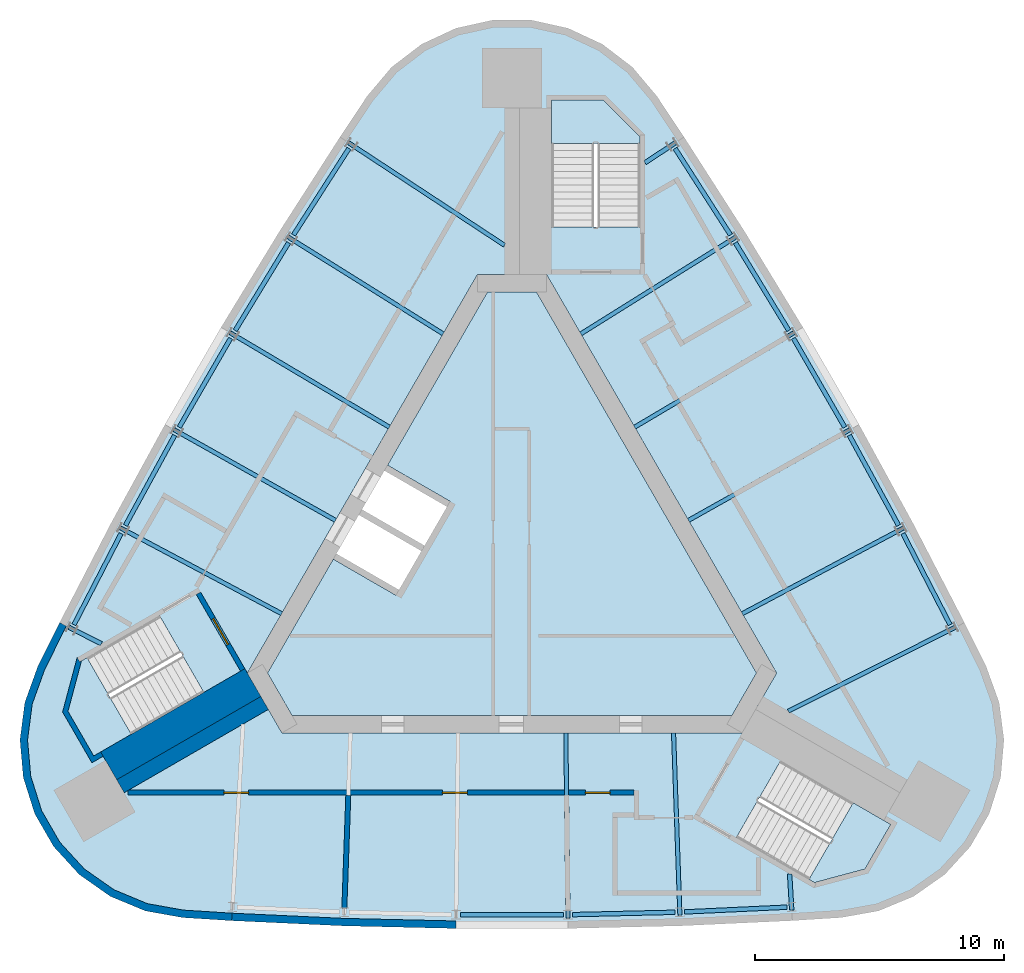
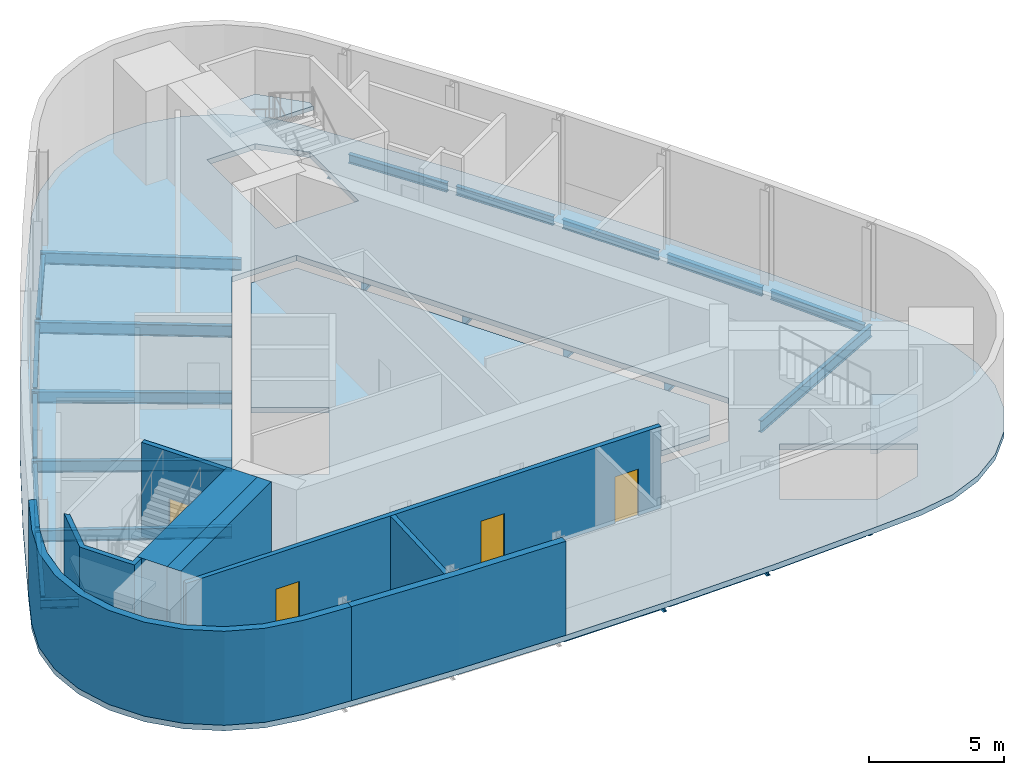
# One storey, part 3 of 7: 28 beams, 8 walls, 5 slabs, 4 doors, 4 openings, 3 elements without a shape of their own.
"""IFC4 building model written with IfcOpenShell, lengths in metres."""

from ifc_helpers import new_model, si_unit, direction, frame, frame_2d, origin, origin_2d, place, context, subcontext, project, spatial, polyline, rectangle, i_section, outline, extrude, material, layer, layer_set, material_profile, profile_set, type_object, element, fill, aggregate, save


model = new_model("IFC4")

# Units and contexts
model_context = context("Model", 3, precision=1e-05, world=origin(), true_north=direction((0.0, 1.0)))
body_context = subcontext(model_context, "Body", "Model", "MODEL_VIEW")
ifc_project = project(units=[si_unit("LENGTHUNIT", "METRE"), si_unit("AREAUNIT", "SQUARE_METRE"), si_unit("VOLUMEUNIT", "CUBIC_METRE"), si_unit("PLANEANGLEUNIT", "RADIAN"), si_unit("MASSUNIT", "GRAM", prefix="KILO")], contexts=[model_context])

# Site, building, storey
site_placement = place(None, origin())
site = spatial("IfcSite", under=ifc_project, at=site_placement, CompositionType="ELEMENT")
building_placement = place(site_placement, origin())
building = spatial("IfcBuilding", under=site, at=building_placement, Name="Noor Cloister Tower", CompositionType="ELEMENT")
storey_placement = place(building_placement, frame((0.0, 0.0, 288.60009765625)))
storey = spatial("IfcBuildingStorey", under=building, at=storey_placement, Name="L73", CompositionType="ELEMENT", Elevation=288.60009765625)

# Beams
ifc_material_1 = material(Name="Steel ASTM A992 Gr 50", Category="steel")
ifc_material_profile_1 = material_profile(ifc_material_1, i_section(OverallWidth=0.177978515625, OverallDepth=0.406005859375, WebThickness=0.0078125, FlangeThickness=0.0126953125, FilletRadius=0.01025390625, at=origin_2d()), Name="W410x60")
ifc_profile_set_1 = profile_set([ifc_material_profile_1], Name="Steel ASTM A992 Gr 50")
beam_type_1 = type_object("IfcBeamType", Name="Radial beam W410x60", PredefinedType="BEAM", material=ifc_profile_set_1)
for number, where, z_axis, x_axis, name in (
    (1, (-17.762451171875, -2.69921875, -0.453125), (0.893513410786, -0.449036507141, 0.0), (0.449036507141, 0.893513410786, 0.0), "Radial beam NW 06 L73"),
    (2, (11.218994140625, -14.033203125, -0.453125), (-0.058088486933, 0.998311438222, 0.0), (-0.998311438222, -0.058088486933, 0.0), "Radial beam S 06 L73"),
    (3, (6.543701171875, 16.732421875, -0.453125), (-0.835592525802, -0.549349734526, 0.0), (0.549349734526, -0.835592525802, 0.0), "Radial beam NE 06 L73"),
):
    element("IfcBeam", number, at=place(storey_placement, frame(where, z_axis=z_axis, x_axis=x_axis)), inside=storey, type_object=beam_type_1, Name=name, PredefinedType="BEAM", context=body_context, shape_type="SweptSolid", body=[
        extrude(i_section(OverallWidth=0.177978515625, OverallDepth=0.406005859375, WebThickness=0.0078125, FlangeThickness=0.0126953125, FilletRadius=0.01025390625, at=origin_2d()), origin(), (0.0, 0.0, 1.0), 1.44580078125),
    ])
ifc_material_2 = material(Name="Steel ASTM A992 Gr 50", Category="steel")
ifc_material_profile_2 = material_profile(ifc_material_2, i_section(OverallWidth=0.166015625, OverallDepth=0.528076171875, WebThickness=0.009765625, FlangeThickness=0.013671875, FilletRadius=0.0126953125, at=origin_2d()), Name="W530x74")
ifc_profile_set_2 = profile_set([ifc_material_profile_2], Name="Steel ASTM A992 Gr 50")
beam_type_2 = type_object("IfcBeamType", Name="Radial beam W530x74", PredefinedType="BEAM", material=ifc_profile_set_2)
beam_1_placement = place(storey_placement, frame((-6.543701171875, 16.732421875, -0.51416015625), z_axis=(0.835597066484, -0.549342827825, 0.0), x_axis=(0.549342827825, 0.835597066484, 0.0)))
element("IfcBeam", 4, at=beam_1_placement, inside=storey, type_object=beam_type_2, Name="Radial beam NW 01 L73", PredefinedType="BEAM", context=body_context, shape_type="SweptSolid", body=[
    extrude(i_section(OverallWidth=0.166015625, OverallDepth=0.528076171875, WebThickness=0.009765625, FlangeThickness=0.013671875, FilletRadius=0.0126953125, at=origin_2d()), origin(), (0.0, 0.0, 1.0), 7.47216796875),
])
beam_2_placement = place(storey_placement, frame((-8.966552734375, 12.952392578125, -0.51416015625), z_axis=(0.848095755563, -0.529842985606, 0.0), x_axis=(0.529842985606, 0.848095755563, 0.0)))
element("IfcBeam", 5, at=beam_2_placement, inside=storey, type_object=beam_type_2, Name="Radial beam NW 02 L73", PredefinedType="BEAM", context=body_context, shape_type="SweptSolid", body=[
    extrude(i_section(OverallWidth=0.166015625, OverallDepth=0.528076171875, WebThickness=0.009765625, FlangeThickness=0.013671875, FilletRadius=0.0126953125, at=origin_2d()), origin(), (0.0, 0.0, 1.0), 7.317626953125),
])
beam_3_placement = place(storey_placement, frame((-11.301025390625, 9.116943359375, -0.51416015625), z_axis=(0.8601674766, -0.510011678492, 0.0), x_axis=(0.510011678492, 0.8601674766, 0.0)))
element("IfcBeam", 6, at=beam_3_placement, inside=storey, type_object=beam_type_2, Name="Radial beam NW 03 L73", PredefinedType="BEAM", context=body_context, shape_type="SweptSolid", body=[
    extrude(i_section(OverallWidth=0.166015625, OverallDepth=0.528076171875, WebThickness=0.009765625, FlangeThickness=0.013671875, FilletRadius=0.0126953125, at=origin_2d()), origin(), (0.0, 0.0, 1.0), 7.41796875),
])
beam_4_placement = place(storey_placement, frame((-13.546142578125, 5.228515625, -0.51416015625), z_axis=(0.871771481583, -0.489912730901, 0.0), x_axis=(0.489912730901, 0.871771481583, 0.0)))
element("IfcBeam", 7, at=beam_4_placement, inside=storey, type_object=beam_type_2, Name="Radial beam NW 04 L73", PredefinedType="BEAM", context=body_context, shape_type="SweptSolid", body=[
    extrude(i_section(OverallWidth=0.166015625, OverallDepth=0.528076171875, WebThickness=0.009765625, FlangeThickness=0.013671875, FilletRadius=0.0126953125, at=origin_2d()), origin(), (0.0, 0.0, 1.0), 7.417724609375),
])
beam_5_placement = place(storey_placement, frame((-15.7001953125, 1.2890625, -0.51416015625), z_axis=(0.882900936167, -0.469559300745, 0.0), x_axis=(0.469559300745, 0.882900936167, 0.0)))
element("IfcBeam", 8, at=beam_5_placement, inside=storey, type_object=beam_type_2, Name="Radial beam NW 05 L73", PredefinedType="BEAM", context=body_context, shape_type="SweptSolid", body=[
    extrude(i_section(OverallWidth=0.166015625, OverallDepth=0.528076171875, WebThickness=0.009765625, FlangeThickness=0.013671875, FilletRadius=0.0126953125, at=origin_2d()), origin(), (0.0, 0.0, 1.0), 7.317626953125),
])
beam_6_placement = place(storey_placement, frame((2.244873046875, -14.345458984375, -0.51416015625), z_axis=(-0.011585411151, 0.999932886872, 0.0), x_axis=(-0.999932886872, -0.011585411151, 0.0)))
element("IfcBeam", 9, at=beam_6_placement, inside=storey, type_object=beam_type_2, Name="Radial beam S 04 L73", PredefinedType="BEAM", context=body_context, shape_type="SweptSolid", body=[
    extrude(i_section(OverallWidth=0.166015625, OverallDepth=0.528076171875, WebThickness=0.009765625, FlangeThickness=0.013671875, FilletRadius=0.0126953125, at=origin_2d()), origin(), (0.0, 0.0, 1.0), 7.417724609375),
])
beam_7_placement = place(storey_placement, frame((6.733642578125, -14.241455078125, -0.51416015625), z_axis=(-0.034764484893, 0.999395532605, 0.0), x_axis=(-0.999395532605, -0.034764484893, 0.0)))
element("IfcBeam", 10, at=beam_7_placement, inside=storey, type_object=beam_type_2, Name="Radial beam S 05 L73", PredefinedType="BEAM", context=body_context, shape_type="SweptSolid", body=[
    extrude(i_section(OverallWidth=0.166015625, OverallDepth=0.528076171875, WebThickness=0.009765625, FlangeThickness=0.013671875, FilletRadius=0.0126953125, at=origin_2d()), origin(), (0.0, 0.0, 1.0), 7.317626953125),
])
beam_8_placement = place(storey_placement, frame((17.762451171875, -2.69921875, -0.51416015625), z_axis=(-0.893543245424, -0.448977135897, 0.0), x_axis=(0.448977135897, -0.893543245424, 0.0)))
element("IfcBeam", 11, at=beam_8_placement, inside=storey, type_object=beam_type_2, Name="Radial beam NE 01 L73", PredefinedType="BEAM", context=body_context, shape_type="SweptSolid", body=[
    extrude(i_section(OverallWidth=0.166015625, OverallDepth=0.528076171875, WebThickness=0.009765625, FlangeThickness=0.013671875, FilletRadius=0.0126953125, at=origin_2d()), origin(), (0.0, 0.0, 1.0), 7.471923828125),
])
beam_9_placement = place(storey_placement, frame((15.7001953125, 1.2890625, -0.51416015625), z_axis=(-0.882900936167, -0.469559300745, 0.0), x_axis=(0.469559300745, -0.882900936167, 0.0)))
element("IfcBeam", 12, at=beam_9_placement, inside=storey, type_object=beam_type_2, Name="Radial beam NE 02 L73", PredefinedType="BEAM", context=body_context, shape_type="SweptSolid", body=[
    extrude(i_section(OverallWidth=0.166015625, OverallDepth=0.528076171875, WebThickness=0.009765625, FlangeThickness=0.013671875, FilletRadius=0.0126953125, at=origin_2d()), origin(), (0.0, 0.0, 1.0), 7.317626953125),
])
beam_10_placement = place(storey_placement, frame((13.546142578125, 5.228515625, -0.51416015625), z_axis=(-0.871771481583, -0.489912730901, 0.0), x_axis=(0.489912730901, -0.871771481583, 0.0)))
element("IfcBeam", 13, at=beam_10_placement, inside=storey, type_object=beam_type_2, Name="Radial beam NE 03 L73", PredefinedType="BEAM", context=body_context, shape_type="SweptSolid", body=[
    extrude(i_section(OverallWidth=0.166015625, OverallDepth=0.528076171875, WebThickness=0.009765625, FlangeThickness=0.013671875, FilletRadius=0.0126953125, at=origin_2d()), origin(), (0.0, 0.0, 1.0), 7.417724609375),
])
beam_11_placement = place(storey_placement, frame((11.301025390625, 9.116943359375, -0.51416015625), z_axis=(-0.8601674766, -0.510011678492, 0.0), x_axis=(0.510011678492, -0.8601674766, 0.0)))
element("IfcBeam", 14, at=beam_11_placement, inside=storey, type_object=beam_type_2, Name="Radial beam NE 04 L73", PredefinedType="BEAM", context=body_context, shape_type="SweptSolid", body=[
    extrude(i_section(OverallWidth=0.166015625, OverallDepth=0.528076171875, WebThickness=0.009765625, FlangeThickness=0.013671875, FilletRadius=0.0126953125, at=origin_2d()), origin(), (0.0, 0.0, 1.0), 7.41796875),
])
beam_12_placement = place(storey_placement, frame((8.966552734375, 12.952392578125, -0.51416015625), z_axis=(-0.848095755563, -0.529842985606, 0.0), x_axis=(0.529842985606, -0.848095755563, 0.0)))
element("IfcBeam", 15, at=beam_12_placement, inside=storey, type_object=beam_type_2, Name="Radial beam NE 05 L73", PredefinedType="BEAM", context=body_context, shape_type="SweptSolid", body=[
    extrude(i_section(OverallWidth=0.166015625, OverallDepth=0.528076171875, WebThickness=0.009765625, FlangeThickness=0.013671875, FilletRadius=0.0126953125, at=origin_2d()), origin(), (0.0, 0.0, 1.0), 7.317626953125),
])
ifc_material_3 = material(Name="Steel ASTM A992 Gr 50", Category="steel")
ifc_material_profile_3 = material_profile(ifc_material_3, i_section(OverallWidth=0.177978515625, OverallDepth=0.406005859375, WebThickness=0.0078125, FlangeThickness=0.0126953125, FilletRadius=0.01025390625, at=origin_2d()), Name="W410x60")
ifc_profile_set_3 = profile_set([ifc_material_profile_3], Name="Steel ASTM A992 Gr 50")
beam_type_3 = type_object("IfcBeamType", Name="Spandrel beam W410x60", PredefinedType="SPANDREL", material=ifc_profile_set_3)
for number, where, z_axis, x_axis, name in (
    (16, (-6.541015625, 16.510498046875, -0.453125), (-0.539591790673, -0.841926777956, 0.0), (0.841926777956, -0.539591790673, 0.0), "Spandrel beam NW 01 L73"),
    (17, (-8.958740234375, 12.73046875, -0.453125), (-0.519967629608, -0.854185965794, 0.0), (0.854185965794, -0.519967629608, 0.0), "Spandrel beam NW 02 L73"),
    (18, (-11.2880859375, 8.8955078125, -0.453125), (-0.499989236795, -0.866031617834, 0.0), (0.866031617834, -0.499989236795, 0.0), "Spandrel beam NW 03 L73"),
    (19, (-13.528076171875, 5.00732421875, -0.453125), (-0.479794519486, -0.877380885973, 0.0), (0.877380885973, -0.479794519486, 0.0), "Spandrel beam NW 04 L73"),
    (20, (-15.677001953125, 1.068359375, -0.453125), (-0.459334235581, -0.888263508213, 0.0), (0.888263508213, -0.459334235581, 0.0), "Spandrel beam NW 05 L73"),
    (21, (-2.0595703125, -14.2236328125, -0.453125), (1.0, 0.0, 0.0), (0.0, 1.0, 0.0), "Spandrel beam S 03 L73"),
):
    element("IfcBeam", number, at=place(storey_placement, frame(where, z_axis=z_axis, x_axis=x_axis)), inside=storey, type_object=beam_type_3, Name=name, PredefinedType="SPANDREL", context=body_context, shape_type="SweptSolid", body=[
        extrude(i_section(OverallWidth=0.177978515625, OverallDepth=0.406005859375, WebThickness=0.0078125, FlangeThickness=0.0126953125, FilletRadius=0.01025390625, at=origin_2d()), origin(), (0.0, 0.0, 1.0), 4.119140625),
    ])
beam_13_placement = place(storey_placement, frame((2.427490234375, -14.21923828125, -0.453125), z_axis=(0.999731452345, 0.023173760841, 0.0), x_axis=(-0.023173760841, 0.999731452345, 0.0)))
element("IfcBeam", 22, at=beam_13_placement, inside=storey, type_object=beam_type_3, Name="Spandrel beam S 04 L73", PredefinedType="SPANDREL", context=body_context, shape_type="SweptSolid", body=[
    extrude(i_section(OverallWidth=0.177978515625, OverallDepth=0.406005859375, WebThickness=0.0078125, FlangeThickness=0.0126953125, FilletRadius=0.01025390625, at=origin_2d()), origin(), (0.0, 0.0, 1.0), 4.119384765625),
])
for number, where, z_axis, x_axis, name in (
    (23, (6.913330078125, -14.11083984375, -0.453125), (0.998925325351, 0.046348617801, 0.0), (-0.046348617801, 0.998925325351, 0.0), "Spandrel beam S 05 L73"),
    (24, (17.569091796875, -2.590576171875, -0.453125), (-0.459334235581, 0.888263508213, 0.0), (-0.888263508213, -0.459334235581, 0.0), "Spandrel beam NE 01 L73"),
    (25, (15.50439453125, 1.393310546875, -0.453125), (-0.479794519486, 0.877380885973, 0.0), (-0.877380885973, -0.479794519486, 0.0), "Spandrel beam NE 02 L73"),
    (26, (13.34765625, 5.328125, -0.453125), (-0.499989236795, 0.866031617834, 0.0), (-0.866031617834, -0.499989236795, 0.0), "Spandrel beam NE 03 L73"),
    (27, (11.1005859375, 9.2119140625, -0.453125), (-0.519967629608, 0.854185965794, 0.0), (-0.854185965794, -0.519967629608, 0.0), "Spandrel beam NE 04 L73"),
    (28, (8.763671875, 13.04248046875, -0.453125), (-0.539591790673, 0.841926777956, 0.0), (-0.841926777956, -0.539591790673, 0.0), "Spandrel beam NE 05 L73"),
):
    element("IfcBeam", number, at=place(storey_placement, frame(where, z_axis=z_axis, x_axis=x_axis)), inside=storey, type_object=beam_type_3, Name=name, PredefinedType="SPANDREL", context=body_context, shape_type="SweptSolid", body=[
        extrude(i_section(OverallWidth=0.177978515625, OverallDepth=0.406005859375, WebThickness=0.0078125, FlangeThickness=0.0126953125, FilletRadius=0.01025390625, at=origin_2d()), origin(), (0.0, 0.0, 1.0), 4.119140625),
    ])

# Slabs
ifc_material_4 = material(Name="Concrete C40/50", Category="concrete")
ifc_layer_1 = layer(ifc_material_4, 0.25)
ifc_layer_set_1 = layer_set([ifc_layer_1], Name="Core floor slab 250 C40/50")
slab_type_1 = type_object("IfcSlabType", Name="Core floor slab 250 C40/50", PredefinedType="FLOOR", material=ifc_layer_set_1)
slab_1_placement = place(storey_placement, frame((0.0, 0.0, -0.25)))
element("IfcSlab", 29, at=slab_1_placement, inside=storey, type_object=slab_type_1, Name="Core floor L73", PredefinedType="FLOOR", context=body_context, shape_type="SweptSolid", body=[
    extrude(outline(polyline([(-4.993896484375, 3.806884765625), (-2.482421875, 2.35693359375), (-4.6572265625, -1.410400390625), (-7.168701171875, 0.039794921875), (-9.80615234375, -4.5283203125), (-8.82470703125, -6.228271484375), (8.82470703125, -6.228271484375), (9.80615234375, -4.5283203125), (0.9814453125, 10.75634765625), (-0.9814453125, 10.75634765625), (-4.993896484375, 3.806884765625)])), origin(), (0.0, 0.0, 1.0), 0.25),
])
ifc_material_5 = material(Name="Concrete C40/50", Category="concrete")
ifc_layer_2 = layer(ifc_material_5, 0.25)
ifc_layer_set_2 = layer_set([ifc_layer_2], Name="Floor slab 250 C40/50")
slab_type_2 = type_object("IfcSlabType", Name="Floor slab 250 C40/50", PredefinedType="FLOOR", material=ifc_layer_set_2)
slab_2_placement = place(storey_placement, frame((0.0, 0.0, -0.25)))
element("IfcSlab", 30, at=slab_2_placement, inside=storey, type_object=slab_type_2, Name="Floor slab L73", PredefinedType="FLOOR", context=body_context, shape_type="SweptSolid", body=[
    extrude(outline(polyline([(5.809814453125, 18.609619140625), (4.830078125, 19.771484375), (3.62255859375, 20.69482421875), (2.244140625, 21.33544921875), (0.760009765625, 21.66357421875), (-0.760009765625, 21.66357421875), (-2.244140625, 21.33544921875), (-3.62255859375, 20.69482421875), (-4.830078125, 19.771484375), (-5.809814453125, 18.609619140625), (-6.9013671875, 16.967529296875), (-9.32958984375, 13.178955078125), (-11.669189453125, 9.335205078125), (-13.919189453125, 5.438232421875), (-16.078125, 1.489990234375), (-18.14501953125, -2.507080078125), (-19.021240234375, -4.2734375), (-19.53759765625, -5.702880859375), (-19.7333984375, -7.210205078125), (-19.59912109375, -8.724365234375), (-19.14111328125, -10.173583984375), (-18.381103515625, -11.489990234375), (-17.35498046875, -12.611083984375), (-16.11083984375, -13.484619140625), (-14.707763671875, -14.068603515625), (-13.21142578125, -14.336181640625), (-11.24365234375, -14.46044921875), (-6.74853515625, -14.669189453125), (-2.25, -14.7734375), (2.25, -14.7734375), (6.74853515625, -14.669189453125), (11.24365234375, -14.46044921875), (13.21142578125, -14.336181640625), (14.707763671875, -14.068603515625), (16.11083984375, -13.484619140625), (17.35498046875, -12.611083984375), (18.381103515625, -11.489990234375), (19.14111328125, -10.173583984375), (19.59912109375, -8.724365234375), (19.7333984375, -7.210205078125), (19.53759765625, -5.702880859375), (19.021240234375, -4.2734375), (18.14501953125, -2.507080078125), (16.078125, 1.489990234375), (13.919189453125, 5.438232421875), (11.669189453125, 9.335205078125), (9.32958984375, 13.178955078125), (6.9013671875, 16.967529296875), (5.809814453125, 18.609619140625)]), holes=[polyline([(8.999755859375, -11.126220703125), (12.131591796875, -12.934326171875), (14.1572265625, -12.3916015625), (15.19091796875, -10.601318359375), (10.774658203125, -8.0517578125), (8.999755859375, -11.126220703125)]), polyline([(-17.81005859375, -6.064697265625), (-16.776611328125, -7.85498046875), (-12.3603515625, -5.305419921875), (-14.13525390625, -2.23095703125), (-16.662841796875, -3.690185546875), (-17.267333984375, -4.039306640625), (-17.81005859375, -6.064697265625)]), polyline([(-10.6142578125, -4.5283203125), (-9.228759765625, -6.92822265625), (9.228759765625, -6.92822265625), (10.6142578125, -4.5283203125), (1.3857421875, 11.456298828125), (-1.3857421875, 11.456298828125), (-10.6142578125, -4.5283203125)]), polyline([(3.65283203125, 18.456298828125), (1.585693359375, 18.456298828125), (1.585693359375, 13.35693359375), (5.135498046875, 13.35693359375), (5.135498046875, 16.9736328125), (3.65283203125, 18.456298828125)])]), origin(), (0.0, 0.0, 1.0), 0.25),
])

# Stair, slab
ifc_material_6 = material(Name="Concrete C40/50", Category="concrete")
stair_type = type_object("IfcStairType", Name="Exit stair 26 risers", PredefinedType="HALF_TURN_STAIR", material=ifc_material_6)
stair_1_placement = place(storey_placement, origin())
stair_1 = element("IfcStair", 31, at=stair_1_placement, inside=storey, type_object=stair_type, Name="Exit stair ST1 L73", PredefinedType="HALF_TURN_STAIR")
ifc_material_7 = material(Name="Concrete C40/50", Category="concrete")
ifc_layer_3 = layer(ifc_material_7, 0.199951171875)
ifc_layer_set_3 = layer_set([ifc_layer_3], Name="Stair landing 200 C40/50")
slab_type_3 = type_object("IfcSlabType", Name="Stair landing 200 C40/50", PredefinedType="LANDING", material=ifc_layer_set_3)
slab_3_placement = place(storey_placement, frame((0.0, 0.0, 2.0498046875)))
slab_3 = element("IfcSlab", 32, at=slab_3_placement, type_object=slab_type_3, Name="ST1 landing 1", PredefinedType="LANDING", context=body_context, shape_type="SweptSolid", body=[
    extrude(outline(polyline([(5.135498046875, 16.7158203125), (5.135498046875, 16.9736328125), (3.65283203125, 18.456298828125), (1.585693359375, 18.456298828125), (1.585693359375, 16.7158203125), (5.135498046875, 16.7158203125)])), origin(), (0.0, 0.0, 1.0), 0.2001953125),
])
aggregate(stair_1, [slab_3])

stair_2_placement = place(storey_placement, origin())
stair_2 = element("IfcStair", 33, at=stair_2_placement, inside=storey, type_object=stair_type, Name="Exit stair ST2 L73", PredefinedType="HALF_TURN_STAIR")
slab_4_placement = place(storey_placement, frame((0.0, 0.0, 2.0498046875)))
slab_4 = element("IfcSlab", 34, at=slab_4_placement, type_object=slab_type_3, Name="ST2 landing 1", PredefinedType="LANDING", context=body_context, shape_type="SweptSolid", body=[
    extrude(outline(polyline([(-17.044189453125, -3.910400390625), (-17.267333984375, -4.039306640625), (-17.81005859375, -6.064697265625), (-16.776611328125, -7.85498046875), (-15.26904296875, -6.984619140625), (-17.044189453125, -3.910400390625)])), origin(), (0.0, 0.0, 1.0), 0.2001953125),
])
aggregate(stair_2, [slab_4])

stair_3_placement = place(storey_placement, origin())
stair_3 = element("IfcStair", 35, at=stair_3_placement, inside=storey, type_object=stair_type, Name="Exit stair ST3 L73", PredefinedType="HALF_TURN_STAIR")
slab_5_placement = place(storey_placement, frame((0.0, 0.0, 2.0498046875)))
slab_5 = element("IfcSlab", 36, at=slab_5_placement, type_object=slab_type_3, Name="ST3 landing 1", PredefinedType="LANDING", context=body_context, shape_type="SweptSolid", body=[
    extrude(outline(polyline([(11.908447265625, -12.805419921875), (12.131591796875, -12.934326171875), (14.1572265625, -12.3916015625), (15.19091796875, -10.601318359375), (13.68359375, -9.731201171875), (11.908447265625, -12.805419921875)])), origin(), (0.0, 0.0, 1.0), 0.2001953125),
])
aggregate(stair_3, [slab_5])

# Walls
ifc_material_8 = material(Name="Concrete C50/60", Category="concrete")
ifc_layer_4 = layer(ifc_material_8, 0.60009765625)
ifc_layer_set_4 = layer_set([ifc_layer_4], Name="Buttress wall 600 C50/60")
wall_type_1 = type_object("IfcWallType", Name="Buttress wall 600 C50/60", PredefinedType="SHEAR", material=ifc_layer_set_4)
wall_1_placement = place(storey_placement, frame((-9.921630859375, -5.728271484375, -0.25), z_axis=(0.0, 0.0, 1.0), x_axis=(-0.866032176823, -0.499988268569, 0.0)))
element("IfcWall", 37, at=wall_1_placement, inside=storey, type_object=wall_type_1, Name="Buttress wall SW L73", PredefinedType="SHEAR", context=body_context, shape_type="SweptSolid", body=[
    extrude(rectangle(XDim=6.678466796875, YDim=0.60009765625, at=frame_2d((3.33935546875, 0.0))), origin(), (0.0, 0.0, 1.0), 4.5),
])
ifc_material_9 = material(Name="Limestone", Category="masonry")
ifc_layer_5 = layer(ifc_material_9, 0.300048828125)
ifc_layer_set_5 = layer_set([ifc_layer_5], Name="Limestone cladding 300")
wall_type_2 = type_object("IfcWallType", Name="Limestone cladding 300", PredefinedType="NOTDEFINED", material=ifc_layer_set_5)
wall_2_placement = place(storey_placement, origin())
element("IfcWall", 38, at=wall_2_placement, inside=storey, type_object=wall_type_2, Name="Limestone pier cladding L73 1.1", PredefinedType="NOTDEFINED", context=body_context, shape_type="SweptSolid", body=[
    extrude(outline(polyline([(-18.14501953125, -2.507080078125), (-19.021240234375, -4.2734375), (-19.53759765625, -5.702880859375), (-19.7333984375, -7.210205078125), (-19.59912109375, -8.724365234375), (-19.14111328125, -10.173583984375), (-18.381103515625, -11.489990234375), (-17.35498046875, -12.611083984375), (-16.11083984375, -13.484619140625), (-14.707763671875, -14.068603515625), (-13.21142578125, -14.336181640625), (-11.24365234375, -14.46044921875), (-11.224853515625, -14.1611328125), (-13.175537109375, -14.037841796875), (-14.62255859375, -13.779052734375), (-15.96533203125, -13.22021484375), (-17.15576171875, -12.384521484375), (-18.1376953125, -11.3115234375), (-18.864990234375, -10.052001953125), (-19.30322265625, -8.6650390625), (-19.431640625, -7.21630859375), (-19.244384765625, -5.77392578125), (-18.744873046875, -4.391357421875), (-17.876220703125, -2.640380859375), (-18.14501953125, -2.507080078125)])), origin(), (0.0, 0.0, 1.0), 4.25),
])
ifc_material_10 = material(Name="Limestone", Category="masonry")
ifc_layer_6 = layer(ifc_material_10, 0.300048828125)
ifc_layer_set_6 = layer_set([ifc_layer_6], Name="Limestone panel wall 300")
wall_type_3 = type_object("IfcWallType", Name="Limestone panel wall 300", PredefinedType="NOTDEFINED", material=ifc_layer_set_6)
wall_3_placement = place(storey_placement, origin())
element("IfcWall", 39, at=wall_3_placement, inside=storey, type_object=wall_type_3, Name="Limestone crown wall L73 2a", PredefinedType="NOTDEFINED", context=body_context, shape_type="SweptSolid", body=[
    extrude(outline(polyline([(-11.24365234375, -14.46044921875), (-6.74853515625, -14.669189453125), (-2.25, -14.7734375), (-2.242919921875, -14.4736328125), (-6.73828125, -14.369384765625), (-11.229736328125, -14.160888671875), (-11.24365234375, -14.46044921875)])), origin(), (0.0, 0.0, 1.0), 4.25),
])
ifc_material_11 = material(Name="Concrete C50/60", Category="concrete")
ifc_layer_7 = layer(ifc_material_11, 1.285888671875)
ifc_layer_set_7 = layer_set([ifc_layer_7], Name="Stair enclosure wall 1286 C50/60")
wall_type_4 = type_object("IfcWallType", Name="Stair enclosure wall 1286 C50/60", PredefinedType="SHEAR", material=ifc_layer_set_7)
wall_4_placement = place(storey_placement, frame((-10.392822265625, -4.91162109375, -0.25), z_axis=(0.0, 0.0, 1.0), x_axis=(-0.866025486527, -0.499999856685, 0.0)))
element("IfcWall", 40, at=wall_4_placement, inside=storey, type_object=wall_type_4, Name="Stair enclosure wall ST2 L73 riser side", PredefinedType="SHEAR", context=body_context, shape_type="SweptSolid", body=[
    extrude(rectangle(XDim=6.6787109375, YDim=1.28564453125, at=frame_2d((3.33935546875, 0.0))), origin(), (0.0, 0.0, 1.0), 4.5),
])

# Wall, opening, door
ifc_material_12 = material(Name="Concrete C50/60", Category="concrete")
ifc_layer_8 = layer(ifc_material_12, 0.199951171875)
ifc_layer_set_8 = layer_set([ifc_layer_8], Name="Stair enclosure wall 200 C50/60")
wall_type_5 = type_object("IfcWallType", Name="Stair enclosure wall 200 C50/60", PredefinedType="SHEAR", material=ifc_layer_set_8)
wall_5_placement = place(storey_placement, frame((-12.575927734375, -1.33056640625, -0.25), z_axis=(0.0, 0.0, 1.0), x_axis=(0.499970499736, -0.8660424351, 0.0)))
wall_5 = element("IfcWall", 41, at=wall_5_placement, inside=storey, type_object=wall_type_5, Name="Stair enclosure wall ST2 L73 near end", PredefinedType="SHEAR", context=body_context, shape_type="SweptSolid", body=[
    extrude(rectangle(XDim=3.550048828125, YDim=0.199951171875, at=frame_2d((1.77490234375, 0.0))), origin(), (0.0, 0.0, 1.0), 4.5),
])
opening_1_placement = place(wall_5_placement, frame((1.175048828125, 0.0, 0.25)))
opening_1 = element("IfcOpeningElement", 42, at=opening_1_placement, cuts=wall_5, Name="Opening L73-ST2L", PredefinedType="OPENING", context=body_context, shape_type="SweptSolid", body=[
    extrude(rectangle(XDim=1.199951171875, YDim=2.10009765625, at=frame_2d((0.60009765625, 1.050048828125))), frame((0.0, 0.10986328125, 0.0), z_axis=(0.0, -1.0, 0.0), x_axis=(1.0, 0.0, 0.0)), (0.0, 0.0, 1.0), 0.219970703125),
])
ifc_material_13 = material(Name="Steel", Category="steel")
door_type_1 = type_object("IfcDoorType", Name="Stair door 1200 x 2100 FD120", OperationType="SINGLE_SWING_LEFT", PredefinedType="DOOR", material=ifc_material_13)
door_1_placement = place(opening_1_placement, origin())
door_1 = element("IfcDoor", 43, at=door_1_placement, inside=storey, type_object=door_type_1, Name="Stair door ST2 L73", OperationType="SINGLE_SWING_RIGHT", OverallHeight=2.10009765625, OverallWidth=1.199951171875, PredefinedType="DOOR", context=body_context, shape_type="SweptSolid", body=[
    extrude(rectangle(XDim=1.199951171875, YDim=2.10009765625, at=frame_2d((0.60009765625, 1.050048828125))), frame((0.0, 0.02490234375, 0.0), z_axis=(0.0, -1.0, 0.0), x_axis=(1.0, 0.0, 0.0)), (0.0, 0.0, 1.0), 0.050048828125),
])
fill(opening_1, door_1)

# Wall
ifc_material_14 = material(Name="Concrete C50/60", Category="concrete")
wall_type_6 = type_object("IfcWallType", Name="Stair far end wall C50/60", PredefinedType="SHEAR", material=ifc_material_14)
wall_6_placement = place(storey_placement, frame((0.0, 0.0, -0.25)))
element("IfcWall", 44, at=wall_6_placement, inside=storey, type_object=wall_type_6, Name="Stair enclosure wall ST2 L73 far end", PredefinedType="SHEAR", context=body_context, shape_type="SweptSolid", body=[
    extrude(outline(polyline([(-17.439208984375, -3.907470703125), (-18.024658203125, -6.093017578125), (-16.849609375, -8.128173828125), (-16.398193359375, -7.867431640625), (-16.498291015625, -7.6943359375), (-16.498291015625, -7.6943359375), (-16.776611328125, -7.85498046875), (-17.81005859375, -6.064697265625), (-17.267333984375, -4.039306640625), (-17.339111328125, -4.08056640625), (-17.339111328125, -4.08056640625), (-17.339111328125, -4.08056640625), (-17.339111328125, -4.08056640625), (-17.339111328125, -4.08056640625), (-17.339111328125, -4.08056640625), (-17.339111328125, -4.08056640625), (-17.339111328125, -4.08056640625), (-17.339111328125, -4.08056640625), (-17.339111328125, -4.08056640625), (-17.339111328125, -4.08056640625), (-17.339111328125, -4.08056640625), (-17.339111328125, -4.08056640625), (-17.339111328125, -4.08056640625), (-17.339111328125, -4.08056640625), (-17.339111328125, -4.08056640625), (-17.339111328125, -4.08056640625), (-17.439208984375, -3.907470703125)])), origin(), (0.0, 0.0, 1.0), 4.5),
])

# Wall, openings, doors
ifc_material_15 = material(Name="Concrete block wall, 200 mm", Category="concrete")
ifc_layer_9 = layer(ifc_material_15, 0.199951171875)
ifc_layer_set_9 = layer_set([ifc_layer_9], Name="Upper floor plant room wall 200")
wall_type_7 = type_object("IfcWallType", Name="Upper floor plant room wall 200", PredefinedType="PARTITIONING", material=ifc_layer_set_9)
wall_7_placement = place(storey_placement, frame((-15.397216796875, -9.328125, 0.0), z_axis=(0.0, 0.0, 1.0), x_axis=(1.0, 0.0, 0.0)))
wall_7 = element("IfcWall", 45, at=wall_7_placement, inside=storey, type_object=wall_type_7, Name="Upper floor plant room wall 200 L73 010", PredefinedType="PARTITIONING", context=body_context, shape_type="SweptSolid", body=[
    extrude(rectangle(XDim=20.297119140625, YDim=0.199951171875, at=frame_2d((10.1484375, 0.0))), origin(), (0.0, 0.0, 1.0), 3.701904296875),
])
opening_2_placement = place(wall_7_placement, frame((3.838134765625, 0.0, 0.0)))
opening_2 = element("IfcOpeningElement", 46, at=opening_2_placement, cuts=wall_7, Name="Opening L73-004", PredefinedType="OPENING", context=body_context, shape_type="SweptSolid", body=[
    extrude(rectangle(XDim=1.0, YDim=2.10009765625, at=frame_2d((0.5, 1.050048828125))), frame((0.0, 0.10986328125, 0.0), z_axis=(0.0, -1.0, 0.0), x_axis=(1.0, 0.0, 0.0)), (0.0, 0.0, 1.0), 0.219970703125),
])
opening_3_placement = place(wall_7_placement, frame((12.6083984375, 0.0, 0.0)))
opening_3 = element("IfcOpeningElement", 47, at=opening_3_placement, cuts=wall_7, Name="Opening L73-005", PredefinedType="OPENING", context=body_context, shape_type="SweptSolid", body=[
    extrude(rectangle(XDim=1.0, YDim=2.10009765625, at=frame_2d((0.5, 1.050048828125))), frame((0.0, 0.10986328125, 0.0), z_axis=(0.0, -1.0, 0.0), x_axis=(1.0, 0.0, 0.0)), (0.0, 0.0, 1.0), 0.219970703125),
])
opening_4_placement = place(wall_7_placement, frame((18.336181640625, 0.0, 0.0)))
opening_4 = element("IfcOpeningElement", 48, at=opening_4_placement, cuts=wall_7, Name="Opening L73-006", PredefinedType="OPENING", context=body_context, shape_type="SweptSolid", body=[
    extrude(rectangle(XDim=1.0, YDim=2.10009765625, at=frame_2d((0.5, 1.050048828125))), frame((0.0, 0.10986328125, 0.0), z_axis=(0.0, -1.0, 0.0), x_axis=(1.0, 0.0, 0.0)), (0.0, 0.0, 1.0), 0.219970703125),
])
ifc_material_16 = material(Name="Timber door leaf with steel frame", Category="steel")
door_type_2 = type_object("IfcDoorType", Name="Plant room door 1000", OperationType="NOTDEFINED", PredefinedType="DOOR", material=ifc_material_16)
door_2_placement = place(opening_2_placement, origin())
door_2 = element("IfcDoor", 49, at=door_2_placement, inside=storey, type_object=door_type_2, Name="Plant room door 1000 L73-004", OperationType="SINGLE_SWING_LEFT", OverallHeight=2.10009765625, OverallWidth=1.0, PredefinedType="DOOR", context=body_context, shape_type="SweptSolid", body=[
    extrude(rectangle(XDim=1.0, YDim=2.10009765625, at=frame_2d((0.5, 1.050048828125))), frame((0.0, 0.02490234375, 0.0), z_axis=(0.0, -1.0, 0.0), x_axis=(1.0, 0.0, 0.0)), (0.0, 0.0, 1.0), 0.050048828125),
])
fill(opening_2, door_2)
door_3_placement = place(opening_3_placement, origin())
door_3 = element("IfcDoor", 50, at=door_3_placement, inside=storey, type_object=door_type_2, Name="Plant room door 1000 L73-005", OperationType="SINGLE_SWING_RIGHT", OverallHeight=2.10009765625, OverallWidth=1.0, PredefinedType="DOOR", context=body_context, shape_type="SweptSolid", body=[
    extrude(rectangle(XDim=1.0, YDim=2.10009765625, at=frame_2d((0.5, 1.050048828125))), frame((0.0, 0.02490234375, 0.0), z_axis=(0.0, -1.0, 0.0), x_axis=(1.0, 0.0, 0.0)), (0.0, 0.0, 1.0), 0.050048828125),
])
fill(opening_3, door_3)
door_4_placement = place(opening_4_placement, origin())
door_4 = element("IfcDoor", 51, at=door_4_placement, inside=storey, type_object=door_type_2, Name="Plant room door 1000 L73-006", OperationType="SINGLE_SWING_RIGHT", OverallHeight=2.10009765625, OverallWidth=1.0, PredefinedType="DOOR", context=body_context, shape_type="SweptSolid", body=[
    extrude(rectangle(XDim=1.0, YDim=2.10009765625, at=frame_2d((0.5, 1.050048828125))), frame((0.0, 0.02490234375, 0.0), z_axis=(0.0, -1.0, 0.0), x_axis=(1.0, 0.0, 0.0)), (0.0, 0.0, 1.0), 0.050048828125),
])
fill(opening_4, door_4)

# Wall
wall_8_placement = place(storey_placement, frame((-6.724365234375, -13.969482421875, 0.0), z_axis=(0.0, 0.0, 1.0), x_axis=(0.034788205496, 0.999394707189, 0.0)))
element("IfcWall", 52, at=wall_8_placement, inside=storey, type_object=wall_type_7, Name="Upper floor plant room wall 200 L73 011", PredefinedType="PARTITIONING", context=body_context, shape_type="SweptSolid", body=[
    extrude(rectangle(XDim=4.54052734375, YDim=0.199951171875, at=frame_2d((2.270263671875, 0.0))), origin(), (0.0, 0.0, 1.0), 3.701904296875),
])

save(model, "model.ifc")
